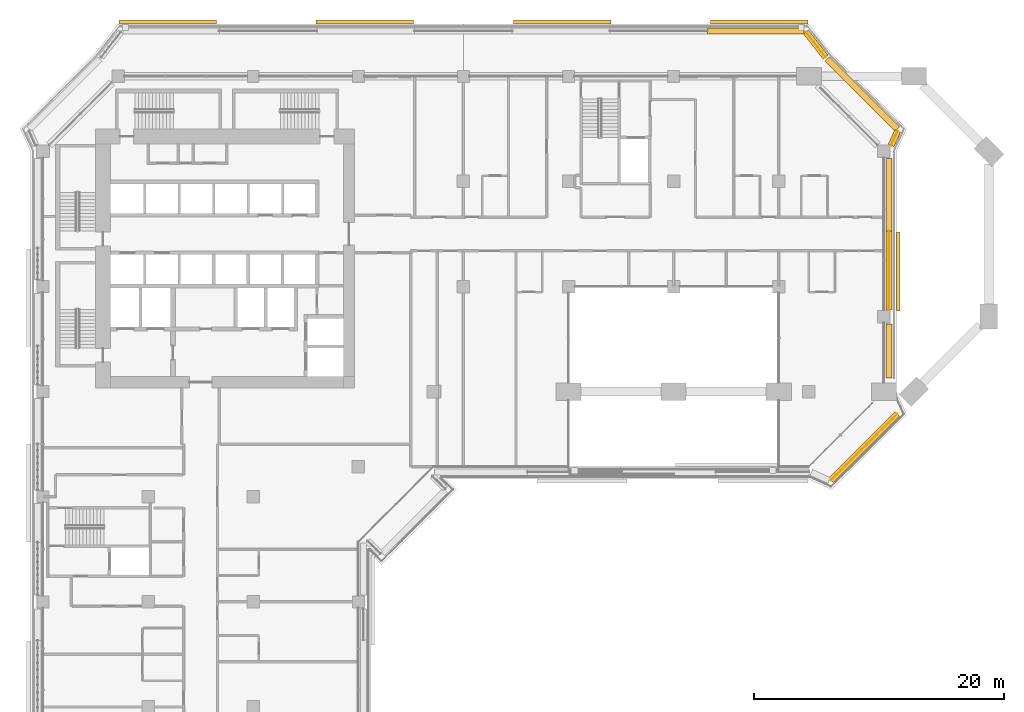
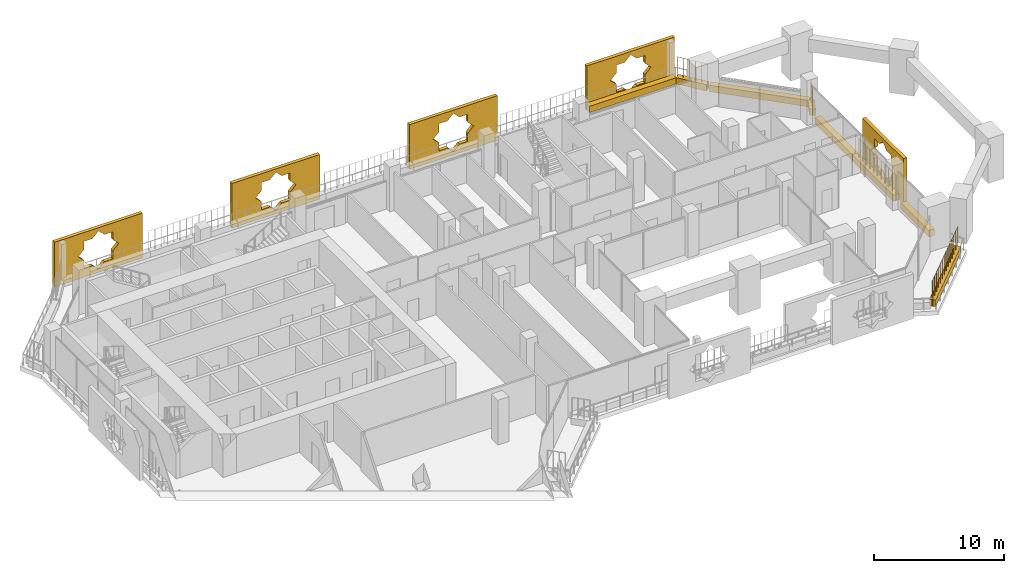
# One storey, part 24 of 24: 13 coverings, 4 railings.
"""IFC4 building model written with IfcOpenShell, lengths in metres."""

import ifcopenshell
import ifcopenshell.guid

model = None  # the IFC model being written
_history = None  # IfcOwnerHistory: only IFC2X3 demands one
_inside = {}  # id of a spatial element -> (the spatial element, [elements in it])
_under = {}  # id of a project, library or spatial element -> (it, [spatial elements below it])
_declared = {}  # id of a project -> (the project, [libraries it declares])
_typed = {}  # id of a type object -> (the type object, [elements of that type])
_made_of = {}  # id of a material, layer set ... -> (it, [elements and type objects made of it])


def new_model(schema):
    """Start an empty IFC model of exactly this schema.

    Asked for "IFC4X3", IfcOpenShell would pick the latest addendum, in which some entities
    have other attributes; the version numbers below select the first issue.
    IFC2X3 requires an IfcOwnerHistory on every rooted entity: one is made here for all.
    """
    global model, _history
    if schema == "IFC4X3":
        model = ifcopenshell.file(schema_version=(4, 3, 0, 0))
    else:
        model = ifcopenshell.file(schema=schema)
    _inside.clear()
    _under.clear()
    _declared.clear()
    _typed.clear()
    _made_of.clear()
    _history = None
    if model.schema == "IFC2X3":
        org = make("IfcOrganization", Name="unknown")
        user = make(
            "IfcPersonAndOrganization",
            ThePerson=make("IfcPerson", FamilyName="unknown"),
            TheOrganization=org,
        )
        app = make(
            "IfcApplication",
            ApplicationDeveloper=org,
            Version="unknown",
            ApplicationFullName="unknown",
            ApplicationIdentifier="unknown",
        )
        _history = make(
            "IfcOwnerHistory",
            OwningUser=user,
            OwningApplication=app,
            ChangeAction="ADDED",
            CreationDate=0,
        )
    return model


def make(cls, **values):
    """One entity of the class cls with the attributes given. An attribute that is None is left unset."""
    return model.create_entity(
        cls, **{name: value for name, value in values.items() if value is not None}
    )


def rooted(cls, **values):
    """An entity with a GlobalId (a new one), such as an element, a storey or a relation."""
    return make(cls, GlobalId=ifcopenshell.guid.new(), OwnerHistory=_history, **values)


def si_unit(unit_type, name, prefix=None):
    """IfcSIUnit, for example si_unit("LENGTHUNIT", "METRE", prefix="MILLI")."""
    return make("IfcSIUnit", UnitType=unit_type, Prefix=prefix, Name=name)


def assignment(units):
    """IfcUnitAssignment: the units of a project."""
    return None if units is None else make("IfcUnitAssignment", Units=units)


def point(xyz):
    """IfcCartesianPoint."""
    return None if xyz is None else make("IfcCartesianPoint", Coordinates=xyz)


def direction(xyz):
    """IfcDirection."""
    return None if xyz is None else make("IfcDirection", DirectionRatios=xyz)


def frame(location, z_axis=None, x_axis=None):
    """IfcAxis2Placement3D, a coordinate frame: its origin and axes. An axis left out is left unset."""
    return make(
        "IfcAxis2Placement3D",
        Location=point(location),
        Axis=direction(z_axis),
        RefDirection=direction(x_axis),
    )


def frame_2d(location, x_axis=None):
    """IfcAxis2Placement2D, a coordinate frame in the plane: its origin and x axis."""
    return make(
        "IfcAxis2Placement2D", Location=point(location), RefDirection=direction(x_axis)
    )


def origin():
    """The frame at (0, 0, 0) with its axes left unset."""
    return frame((0.0, 0.0, 0.0))


def origin_2d():
    """The frame at (0, 0) in the plane with its x axis left unset."""
    return frame_2d((0.0, 0.0))


def place(relative_to, where):
    """IfcLocalPlacement: puts the frame where relative to a parent placement (None: the world)."""
    return make(
        "IfcLocalPlacement", PlacementRelTo=relative_to, RelativePlacement=where
    )


def context(
    kind, dimensions, precision=None, world=None, true_north=None, identifier=None
):
    """IfcGeometricRepresentationContext, for example the 3D "Model" context."""
    return make(
        "IfcGeometricRepresentationContext",
        ContextIdentifier=identifier,
        ContextType=kind,
        CoordinateSpaceDimension=dimensions,
        Precision=precision,
        WorldCoordinateSystem=world,
        TrueNorth=true_north,
    )


def subcontext(parent, identifier, kind, view, scale=None):
    """IfcGeometricRepresentationSubContext, for example "Body" below "Model"."""
    return make(
        "IfcGeometricRepresentationSubContext",
        ContextIdentifier=identifier,
        ContextType=kind,
        ParentContext=parent,
        TargetScale=scale,
        TargetView=view,
    )


def project(units=None, contexts=None):
    """IfcProject with its units and contexts."""
    return rooted(
        "IfcProject",
        Name="project",
        RepresentationContexts=contexts,
        UnitsInContext=assignment(units),
    )


def spatial(cls, under=None, at=None, **own):
    """A site, building, storey or space (cls), placed at a placement, below another one or the project."""
    s = rooted(cls, ObjectPlacement=at, **own)
    if under is not None:
        _under.setdefault(under.id(), (under, []))[1].append(s)
    return s


def polyline(points):
    """IfcPolyline through the points."""
    return make("IfcPolyline", Points=[point(p) for p in points])


def profile(cls, at=None, kind="AREA", **sizes):
    """A parametric profile (cls). Its sizes go by their IFC names, for example OverallWidth=200.0."""
    return make(cls, ProfileType=kind, Position=at, **sizes)


def rectangle(**sizes):
    """IfcRectangleProfileDef."""
    return profile("IfcRectangleProfileDef", **sizes)


def circle(**sizes):
    """IfcCircleProfileDef."""
    return profile("IfcCircleProfileDef", **sizes)


def outline(outer, holes=None, kind="AREA"):
    """IfcArbitraryClosedProfileDef: a profile drawn as a closed curve; with holes, ...WithVoids."""
    if holes is None:
        return make("IfcArbitraryClosedProfileDef", ProfileType=kind, OuterCurve=outer)
    return make(
        "IfcArbitraryProfileDefWithVoids",
        ProfileType=kind,
        OuterCurve=outer,
        InnerCurves=holes,
    )


def extrude(swept, where, along, depth):
    """IfcExtrudedAreaSolid: the profile swept, set in the frame where, extruded along a direction by depth."""
    return make(
        "IfcExtrudedAreaSolid",
        SweptArea=swept,
        Position=where,
        ExtrudedDirection=direction(along),
        Depth=depth,
    )


def shape(context_of_items, identifier, shape_type, items):
    """IfcShapeRepresentation: the items that make up one representation, for example the "Body"."""
    return make(
        "IfcShapeRepresentation",
        ContextOfItems=context_of_items,
        RepresentationIdentifier=identifier,
        RepresentationType=shape_type,
        Items=items,
    )


def material(Name=None, Category=None):
    """IfcMaterial."""
    return make("IfcMaterial", Name=Name, Category=Category)


def material_profile(
    of_material, cross_section, Name=None, Category=None, Priority=None
):
    """IfcMaterialProfile: a cross section and its material."""
    return make(
        "IfcMaterialProfile",
        Name=Name,
        Material=of_material,
        Profile=cross_section,
        Priority=Priority,
        Category=Category,
    )


def profile_set(profiles, Name=None, composite=None):
    """IfcMaterialProfileSet."""
    return make(
        "IfcMaterialProfileSet",
        Name=Name,
        MaterialProfiles=profiles,
        CompositeProfile=composite,
    )


def made_of(thing, what):
    """Note that an element or type object is made of a material, layer set ...; save() writes the relation."""
    if what is not None:
        _made_of.setdefault(what.id(), (what, []))[1].append(thing)
    return thing


def type_object(cls, material=None, **own):
    """A type object (cls), such as IfcWallType, which elements share."""
    return made_of(rooted(cls, **own), material)


def element(
    cls,
    number,
    at=None,
    inside=None,
    cuts=None,
    type_object=None,
    material=None,
    context=None,
    identifier="Body",
    shape_type=None,
    held_by="IfcProductDefinitionShape",
    body=None,
    shapes=None,
    **own,
):
    """One element of the class cls, such as IfcWall. Its Tag is "e" and its number.

    at: its placement. inside: the storey or other place that contains it. cuts: it is an
    opening in that element (IfcRelVoidsElement). A single representation is given by context,
    identifier, shape_type and body (its items); several are given by shapes. held_by: the class
    of the entity that holds the representations. save() writes the other relations.
    """
    e = rooted(cls, Tag="e%d" % number, ObjectPlacement=at, **own)
    if body is not None:
        shapes = [shape(context, identifier, shape_type, body)]
    if shapes is not None:
        e.Representation = make(held_by, Representations=shapes)
    if inside is not None:
        _inside.setdefault(inside.id(), (inside, []))[1].append(e)
    if cuts is not None:
        rooted(
            "IfcRelVoidsElement", RelatingBuildingElement=cuts, RelatedOpeningElement=e
        )
    if type_object is not None:
        _typed.setdefault(type_object.id(), (type_object, []))[1].append(e)
    return made_of(e, material)


def aggregate(whole, parts):
    """IfcRelAggregates: a whole, such as a stair, and the parts it consists of."""
    return rooted("IfcRelAggregates", RelatingObject=whole, RelatedObjects=parts)


def save(model, path):
    """Write the relations noted so far, then the file.

    IfcRelAggregates (storeys below a building ...), IfcRelContainedInSpatialStructure (elements
    in a storey), IfcRelDefinesByType, IfcRelAssociatesMaterial and IfcRelDeclares: one each for
    every whole, place, type object, material and project.
    """
    for whole, parts in _under.values():
        aggregate(whole, parts)
    for where, things in _inside.values():
        rooted(
            "IfcRelContainedInSpatialStructure",
            RelatedElements=things,
            RelatingStructure=where,
        )
    for kind, things in _typed.values():
        rooted("IfcRelDefinesByType", RelatedObjects=things, RelatingType=kind)
    for what, things in _made_of.values():
        rooted("IfcRelAssociatesMaterial", RelatedObjects=things, RelatingMaterial=what)
    for by, libraries in _declared.values():
        rooted("IfcRelDeclares", RelatingContext=by, RelatedDefinitions=libraries)
    model.write(path)


model = new_model("IFC4")

# Units and contexts
model_context = context("Model", 3, precision=1e-05, world=origin(), true_north=direction((0.0, 1.0)))
body_context = subcontext(model_context, "Body", "Model", "MODEL_VIEW")
ifc_project = project(units=[si_unit("LENGTHUNIT", "METRE"), si_unit("AREAUNIT", "SQUARE_METRE"), si_unit("VOLUMEUNIT", "CUBIC_METRE"), si_unit("PLANEANGLEUNIT", "RADIAN"), si_unit("MASSUNIT", "GRAM", prefix="KILO")], contexts=[model_context])

# Site, building, storey
site_placement = place(None, origin())
site = spatial("IfcSite", under=ifc_project, at=site_placement, CompositionType="ELEMENT")
building_placement = place(site_placement, origin())
building = spatial("IfcBuilding", under=site, at=building_placement, Name="Kawkab Arch Medical Tower", CompositionType="ELEMENT")
storey_placement = place(building_placement, frame((0.0, 0.0, 162.60009765625)))
storey = spatial("IfcBuildingStorey", under=building, at=storey_placement, Name="L37", CompositionType="ELEMENT", Elevation=162.60009765625)

# Coverings
ifc_material_1 = material(Name="Bronze anodised aluminium mashrabiya panel, eight-point star pattern", Category="aluminium")
ifc_material_profile_1 = material_profile(ifc_material_1, outline(polyline([(-3.14990234375, -2.10009765625), (3.14990234375, -2.10009765625), (3.14990234375, 2.10009765625), (-3.14990234375, 2.10009765625), (-3.14990234375, -2.10009765625)]), holes=[polyline([(1.800048828125, 0.0), (1.272705078125, 0.527099609375), (1.272705078125, 1.272705078125), (0.527099609375, 1.272705078125), (0.0, 1.800048828125), (-0.527099609375, 1.272705078125), (-1.272705078125, 1.272705078125), (-1.272705078125, 0.527099609375), (-1.800048828125, 0.0), (-1.272705078125, -0.527099609375), (-1.272705078125, -1.272705078125), (-0.527099609375, -1.272705078125), (0.0, -1.800048828125), (0.527099609375, -1.272705078125), (1.272705078125, -1.272705078125), (1.272705078125, -0.527099609375), (1.800048828125, 0.0)])]), Name="Mashrabiya panel 6300x4200")
ifc_profile_set_1 = profile_set([ifc_material_profile_1], Name="Bronze anodised aluminium mashrabiya panel, eight-point star pattern")
covering_type_1 = type_object("IfcCoveringType", Name="Mashrabiya panel 6300 x 4200", PredefinedType="USERDEFINED", material=ifc_profile_set_1)
covering_1_placement = place(storey_placement, frame((68.199951171875, -15.60009765625, 1.699951171875), z_axis=(1.0, 0.0, 0.0), x_axis=(0.0, 1.0, 0.0)))
element("IfcCovering", 1, at=covering_1_placement, inside=storey, type_object=covering_type_1, Name="Mashrabiya panel L37.LOG-01-02.9", ObjectType="SCREEN", PredefinedType="USERDEFINED", context=body_context, shape_type="SweptSolid", body=[
    extrude(outline(polyline([(-3.14990234375, -2.10009765625), (3.14990234375, -2.10009765625), (3.14990234375, 2.10009765625), (-3.14990234375, 2.10009765625), (-3.14990234375, -2.10009765625)]), holes=[polyline([(1.800048828125, 0.0), (1.272705078125, 0.527099609375), (1.272705078125, 1.272705078125), (0.527099609375, 1.272705078125), (0.0, 1.800048828125), (-0.527099609375, 1.272705078125), (-1.272705078125, 1.272705078125), (-1.272705078125, 0.527099609375), (-1.800048828125, 0.0), (-1.272705078125, -0.527099609375), (-1.272705078125, -1.272705078125), (-0.527099609375, -1.272705078125), (0.0, -1.800048828125), (0.527099609375, -1.272705078125), (1.272705078125, -1.272705078125), (1.272705078125, -0.527099609375), (1.800048828125, 0.0)])]), origin(), (0.0, 0.0, 1.0), 0.300048828125),
])
ifc_material_2 = material(Name="Bronze anodised aluminium mashrabiya panel, eight-point star pattern", Category="aluminium")
ifc_material_profile_2 = material_profile(ifc_material_2, outline(polyline([(-3.89990234375, -2.10009765625), (3.89990234375, -2.10009765625), (3.89990234375, 2.10009765625), (-3.89990234375, 2.10009765625), (-3.89990234375, -2.10009765625)]), holes=[polyline([(1.800048828125, 0.0), (1.272705078125, 0.527099609375), (1.272705078125, 1.272705078125), (0.527099609375, 1.272705078125), (0.0, 1.800048828125), (-0.527099609375, 1.272705078125), (-1.272705078125, 1.272705078125), (-1.272705078125, 0.527099609375), (-1.800048828125, 0.0), (-1.272705078125, -0.527099609375), (-1.272705078125, -1.272705078125), (-0.527099609375, -1.272705078125), (0.0, -1.800048828125), (0.527099609375, -1.272705078125), (1.272705078125, -1.272705078125), (1.272705078125, -0.527099609375), (1.800048828125, 0.0)])]), Name="Mashrabiya panel 7800x4200")
ifc_profile_set_2 = profile_set([ifc_material_profile_2], Name="Bronze anodised aluminium mashrabiya panel, eight-point star pattern")
covering_type_2 = type_object("IfcCoveringType", Name="Mashrabiya panel 7800 x 4200", PredefinedType="USERDEFINED", material=ifc_profile_set_2)
for number, where, z_axis, x_axis, name in (
    (2, (9.967041015625, 4.199951171875, 1.699951171875), (0.0, 1.0, 0.0), (-1.0, 0.0, 0.0), "Mashrabiya panel L37.LOG-01-02.5"),
    (3, (25.7158203125, 4.199951171875, 1.699951171875), (0.0, 1.0, 0.0), (-1.0, 0.0, 0.0), "Mashrabiya panel L37.LOG-01-02.6"),
    (4, (41.484375, 4.199951171875, 1.699951171875), (0.0, 1.0, 0.0), (-1.0, 0.0, 0.0), "Mashrabiya panel L37.LOG-01-02.7"),
    (5, (57.23291015625, 4.199951171875, 1.699951171875), (0.0, 1.0, 0.0), (-1.0, 0.0, 0.0), "Mashrabiya panel L37.LOG-01-02.8"),
):
    element("IfcCovering", number, at=place(storey_placement, frame(where, z_axis=z_axis, x_axis=x_axis)), inside=storey, type_object=covering_type_2, Name=name, ObjectType="SCREEN", PredefinedType="USERDEFINED", context=body_context, shape_type="SweptSolid", body=[
        extrude(outline(polyline([(-3.89990234375, -2.10009765625), (3.89990234375, -2.10009765625), (3.89990234375, 2.10009765625), (-3.89990234375, 2.10009765625), (-3.89990234375, -2.10009765625)]), holes=[polyline([(1.800048828125, 0.0), (1.272705078125, 0.527099609375), (1.272705078125, 1.272705078125), (0.527099609375, 1.272705078125), (0.0, 1.800048828125), (-0.527099609375, 1.272705078125), (-1.272705078125, 1.272705078125), (-1.272705078125, 0.527099609375), (-1.800048828125, 0.0), (-1.272705078125, -0.527099609375), (-1.272705078125, -1.272705078125), (-0.527099609375, -1.272705078125), (0.0, -1.800048828125), (0.527099609375, -1.272705078125), (1.272705078125, -1.272705078125), (1.272705078125, -0.527099609375), (1.800048828125, 0.0)])]), origin(), (0.0, 0.0, 1.0), 0.300048828125),
    ])
ifc_material_3 = material(Name="Planting soil in a precast trough", Category="concrete")
ifc_material_profile_3 = material_profile(ifc_material_3, rectangle(XDim=0.5, YDim=0.60009765625, at=origin_2d()), Name="Trough 500x600")
ifc_profile_set_3 = profile_set([ifc_material_profile_3], Name="Planting soil in a precast trough")
covering_type_3 = type_object("IfcCoveringType", Name="Planter trough 500 x 600", PredefinedType="USERDEFINED", material=ifc_profile_set_3)
covering_2_placement = place(storey_placement, frame((53.112060546875, 3.6201171875, 0.2998046875), z_axis=(1.0, 0.0, 0.0), x_axis=(0.0, 1.0, 0.0)))
element("IfcCovering", 6, at=covering_2_placement, inside=storey, type_object=covering_type_3, Name="Planter L37.LOG-01-02.26", ObjectType="PLANTER", PredefinedType="USERDEFINED", context=body_context, shape_type="SweptSolid", body=[
    extrude(rectangle(XDim=0.5, YDim=0.60009765625, at=origin_2d()), origin(), (0.0, 0.0, 1.0), 7.703857421875),
])
covering_3_placement = place(storey_placement, frame((60.97802734375, 3.541015625, 0.2998046875), z_axis=(0.61404021143, -0.789274742246, 0.0), x_axis=(0.789274742246, 0.61404021143, 0.0)))
element("IfcCovering", 7, at=covering_3_placement, inside=storey, type_object=covering_type_3, Name="Planter L37.LOG-01-02.27", ObjectType="PLANTER", PredefinedType="USERDEFINED", context=body_context, shape_type="SweptSolid", body=[
    extrude(rectangle(XDim=0.5, YDim=0.60009765625, at=origin_2d()), origin(), (0.0, 0.0, 1.0), 2.54541015625),
])
covering_4_placement = place(storey_placement, frame((62.673095703125, 1.383056640625, 0.2998046875), z_axis=(0.707091367247, -0.70712219479, 0.0), x_axis=(0.70712219479, 0.707091367247, 0.0)))
element("IfcCovering", 8, at=covering_4_placement, inside=storey, type_object=covering_type_3, Name="Planter L37.LOG-01-02.28", ObjectType="PLANTER", PredefinedType="USERDEFINED", context=body_context, shape_type="SweptSolid", body=[
    extrude(rectangle(XDim=0.5, YDim=0.60009765625, at=origin_2d()), origin(), (0.0, 0.0, 1.0), 7.919677734375),
])
covering_5_placement = place(storey_placement, frame((68.302001953125, -4.37890625, 0.2998046875), z_axis=(-0.415089762627, -0.909780461959, 0.0), x_axis=(0.909780461959, -0.415089762627, 0.0)))
element("IfcCovering", 9, at=covering_5_placement, inside=storey, type_object=covering_type_3, Name="Planter L37.LOG-01-02.29", ObjectType="PLANTER", PredefinedType="USERDEFINED", context=body_context, shape_type="SweptSolid", body=[
    extrude(rectangle(XDim=0.5, YDim=0.60009765625, at=origin_2d()), origin(), (0.0, 0.0, 1.0), 1.257568359375),
])
covering_6_placement = place(storey_placement, frame((67.6201171875, -6.580078125, 0.2998046875), z_axis=(0.0, -1.0, 0.0), x_axis=(1.0, 0.0, 0.0)))
element("IfcCovering", 10, at=covering_6_placement, inside=storey, type_object=covering_type_3, Name="Planter L37.LOG-01-02.30", ObjectType="PLANTER", PredefinedType="USERDEFINED", context=body_context, shape_type="SweptSolid", body=[
    extrude(rectangle(XDim=0.5, YDim=0.60009765625, at=origin_2d()), origin(), (0.0, 0.0, 1.0), 5.77783203125),
])
covering_7_placement = place(storey_placement, frame((67.6201171875, -12.35791015625, 0.2998046875), z_axis=(0.0, -1.0, 0.0), x_axis=(1.0, 0.0, 0.0)))
element("IfcCovering", 11, at=covering_7_placement, inside=storey, type_object=covering_type_3, Name="Planter L37.LOG-01-02.31", ObjectType="PLANTER", PredefinedType="USERDEFINED", context=body_context, shape_type="SweptSolid", body=[
    extrude(rectangle(XDim=0.5, YDim=0.60009765625, at=origin_2d()), origin(), (0.0, 0.0, 1.0), 6.26220703125),
])
covering_8_placement = place(storey_placement, frame((67.6201171875, -19.780029296875, 0.2998046875), z_axis=(0.0, -1.0, 0.0), x_axis=(1.0, 0.0, 0.0)))
element("IfcCovering", 12, at=covering_8_placement, inside=storey, type_object=covering_type_3, Name="Planter L37.LOG-01-02.32", ObjectType="PLANTER", PredefinedType="USERDEFINED", context=body_context, shape_type="SweptSolid", body=[
    extrude(rectangle(XDim=0.5, YDim=0.60009765625, at=origin_2d()), origin(), (0.0, 0.0, 1.0), 4.340087890625),
])
covering_9_placement = place(storey_placement, frame((68.27294921875, -26.98291015625, 0.2998046875), z_axis=(-0.707106781187, -0.707106781187, 0.0), x_axis=(0.707106781187, -0.707106781187, 0.0)))
element("IfcCovering", 13, at=covering_9_placement, inside=storey, type_object=covering_type_3, Name="Planter L37.LOG-01-02.33", ObjectType="PLANTER", PredefinedType="USERDEFINED", context=body_context, shape_type="SweptSolid", body=[
    extrude(rectangle(XDim=0.5, YDim=0.60009765625, at=origin_2d()), origin(), (0.0, 0.0, 1.0), 7.481201171875),
])

# Railings
ifc_material_4 = material(Name="Bronze anodised aluminium trellis for climbing plants", Category="aluminium")
railing_type = type_object("IfcRailingType", Name="Planting trellis 2400", PredefinedType="USERDEFINED", material=ifc_material_4)
railing_1_placement = place(storey_placement, frame((60.97802734375, 3.541015625, 0.0)))
element("IfcRailing", 14, at=railing_1_placement, inside=storey, type_object=railing_type, Name="Planting trellis L37.LOG-01-02.27", ObjectType="TRELLIS", PredefinedType="USERDEFINED", context=body_context, shape_type="SweptSolid", body=[
    extrude(circle(Radius=0.01513671875, at=origin_2d()), frame((0.0, 0.0, 2.384765625), z_axis=(0.61404021143, -0.789274742246, 0.0), x_axis=(0.789274742246, 0.61404021143, 0.0)), (0.0, 0.0, 1.0), 2.54541015625),
    extrude(circle(Radius=0.030029296875, at=origin_2d()), origin(), (0.0, 0.0, 1.0), 2.369873046875),
    extrude(circle(Radius=0.030029296875, at=origin_2d()), frame((0.3125, -0.40185546875, 0.0)), (0.0, 0.0, 1.0), 2.369873046875),
    extrude(circle(Radius=0.030029296875, at=origin_2d()), frame((0.625244140625, -0.8037109375, 0.0)), (0.0, 0.0, 1.0), 2.369873046875),
    extrude(circle(Radius=0.030029296875, at=origin_2d()), frame((0.937744140625, -1.205322265625, 0.0)), (0.0, 0.0, 1.0), 2.369873046875),
    extrude(circle(Radius=0.030029296875, at=origin_2d()), frame((1.25048828125, -1.607177734375, 0.0)), (0.0, 0.0, 1.0), 2.369873046875),
    extrude(circle(Radius=0.030029296875, at=origin_2d()), frame((1.56298828125, -2.009033203125, 0.0)), (0.0, 0.0, 1.0), 2.369873046875),
])
railing_2_placement = place(storey_placement, frame((68.302001953125, -4.37890625, 0.0)))
element("IfcRailing", 15, at=railing_2_placement, inside=storey, type_object=railing_type, Name="Planting trellis L37.LOG-01-02.29", ObjectType="TRELLIS", PredefinedType="USERDEFINED", context=body_context, shape_type="SweptSolid", body=[
    extrude(circle(Radius=0.01513671875, at=origin_2d()), frame((0.0, 0.0, 2.384765625), z_axis=(-0.415089762627, -0.909780461959, 0.0), x_axis=(0.909780461959, -0.415089762627, 0.0)), (0.0, 0.0, 1.0), 1.257568359375),
    extrude(circle(Radius=0.030029296875, at=origin_2d()), origin(), (0.0, 0.0, 1.0), 2.369873046875),
    extrude(circle(Radius=0.030029296875, at=origin_2d()), frame((-0.174072265625, -0.38134765625, 0.0)), (0.0, 0.0, 1.0), 2.369873046875),
    extrude(circle(Radius=0.030029296875, at=origin_2d()), frame((-0.347900390625, -0.7626953125, 0.0)), (0.0, 0.0, 1.0), 2.369873046875),
    extrude(circle(Radius=0.030029296875, at=origin_2d()), frame((-0.52197265625, -1.14404296875, 0.0)), (0.0, 0.0, 1.0), 2.369873046875),
])
railing_3_placement = place(storey_placement, frame((67.6201171875, -12.35791015625, 0.0)))
element("IfcRailing", 16, at=railing_3_placement, inside=storey, type_object=railing_type, Name="Planting trellis L37.LOG-01-02.31", ObjectType="TRELLIS", PredefinedType="USERDEFINED", context=body_context, shape_type="SweptSolid", body=[
    extrude(circle(Radius=0.01513671875, at=origin_2d()), frame((0.0, 0.0, 2.384765625), z_axis=(0.0, -1.0, 0.0), x_axis=(1.0, 0.0, 0.0)), (0.0, 0.0, 1.0), 6.26220703125),
    extrude(circle(Radius=0.030029296875, at=origin_2d()), origin(), (0.0, 0.0, 1.0), 2.369873046875),
    extrude(circle(Radius=0.030029296875, at=origin_2d()), frame((0.0, -0.5693359375, 0.0)), (0.0, 0.0, 1.0), 2.369873046875),
    extrude(circle(Radius=0.030029296875, at=origin_2d()), frame((0.0, -1.138671875, 0.0)), (0.0, 0.0, 1.0), 2.369873046875),
    extrude(circle(Radius=0.030029296875, at=origin_2d()), frame((0.0, -1.707763671875, 0.0)), (0.0, 0.0, 1.0), 2.369873046875),
    extrude(circle(Radius=0.030029296875, at=origin_2d()), frame((0.0, -2.277099609375, 0.0)), (0.0, 0.0, 1.0), 2.369873046875),
    extrude(circle(Radius=0.030029296875, at=origin_2d()), frame((0.0, -2.846435546875, 0.0)), (0.0, 0.0, 1.0), 2.369873046875),
    extrude(circle(Radius=0.030029296875, at=origin_2d()), frame((0.0, -3.415771484375, 0.0)), (0.0, 0.0, 1.0), 2.369873046875),
    extrude(circle(Radius=0.030029296875, at=origin_2d()), frame((0.0, -3.985107421875, 0.0)), (0.0, 0.0, 1.0), 2.369873046875),
    extrude(circle(Radius=0.030029296875, at=origin_2d()), frame((0.0, -4.554443359375, 0.0)), (0.0, 0.0, 1.0), 2.369873046875),
    extrude(circle(Radius=0.030029296875, at=origin_2d()), frame((0.0, -5.12353515625, 0.0)), (0.0, 0.0, 1.0), 2.369873046875),
    extrude(circle(Radius=0.030029296875, at=origin_2d()), frame((0.0, -5.69287109375, 0.0)), (0.0, 0.0, 1.0), 2.369873046875),
    extrude(circle(Radius=0.030029296875, at=origin_2d()), frame((0.0, -6.26220703125, 0.0)), (0.0, 0.0, 1.0), 2.369873046875),
])
railing_4_placement = place(storey_placement, frame((68.27294921875, -26.98291015625, 0.0)))
element("IfcRailing", 17, at=railing_4_placement, inside=storey, type_object=railing_type, Name="Planting trellis L37.LOG-01-02.33", ObjectType="TRELLIS", PredefinedType="USERDEFINED", context=body_context, shape_type="SweptSolid", body=[
    extrude(circle(Radius=0.01513671875, at=origin_2d()), frame((0.0, 0.0, 2.384765625), z_axis=(-0.707106781187, -0.707106781187, 0.0), x_axis=(0.707106781187, -0.707106781187, 0.0)), (0.0, 0.0, 1.0), 7.481201171875),
    extrude(circle(Radius=0.030029296875, at=origin_2d()), origin(), (0.0, 0.0, 1.0), 2.369873046875),
    extrude(circle(Radius=0.030029296875, at=origin_2d()), frame((-0.406982421875, -0.406982421875, 0.0)), (0.0, 0.0, 1.0), 2.369873046875),
    extrude(circle(Radius=0.030029296875, at=origin_2d()), frame((-0.81396484375, -0.81396484375, 0.0)), (0.0, 0.0, 1.0), 2.369873046875),
    extrude(circle(Radius=0.030029296875, at=origin_2d()), frame((-1.220703125, -1.220703125, 0.0)), (0.0, 0.0, 1.0), 2.369873046875),
    extrude(circle(Radius=0.030029296875, at=origin_2d()), frame((-1.627685546875, -1.627685546875, 0.0)), (0.0, 0.0, 1.0), 2.369873046875),
    extrude(circle(Radius=0.030029296875, at=origin_2d()), frame((-2.03466796875, -2.03466796875, 0.0)), (0.0, 0.0, 1.0), 2.369873046875),
    extrude(circle(Radius=0.030029296875, at=origin_2d()), frame((-2.441650390625, -2.441650390625, 0.0)), (0.0, 0.0, 1.0), 2.369873046875),
    extrude(circle(Radius=0.030029296875, at=origin_2d()), frame((-2.848388671875, -2.848388671875, 0.0)), (0.0, 0.0, 1.0), 2.369873046875),
    extrude(circle(Radius=0.030029296875, at=origin_2d()), frame((-3.25537109375, -3.25537109375, 0.0)), (0.0, 0.0, 1.0), 2.369873046875),
    extrude(circle(Radius=0.030029296875, at=origin_2d()), frame((-3.662353515625, -3.662353515625, 0.0)), (0.0, 0.0, 1.0), 2.369873046875),
    extrude(circle(Radius=0.030029296875, at=origin_2d()), frame((-4.0693359375, -4.0693359375, 0.0)), (0.0, 0.0, 1.0), 2.369873046875),
    extrude(circle(Radius=0.030029296875, at=origin_2d()), frame((-4.47607421875, -4.47607421875, 0.0)), (0.0, 0.0, 1.0), 2.369873046875),
    extrude(circle(Radius=0.030029296875, at=origin_2d()), frame((-4.883056640625, -4.883056640625, 0.0)), (0.0, 0.0, 1.0), 2.369873046875),
    extrude(circle(Radius=0.030029296875, at=origin_2d()), frame((-5.2900390625, -5.2900390625, 0.0)), (0.0, 0.0, 1.0), 2.369873046875),
])

save(model, "model.ifc")
